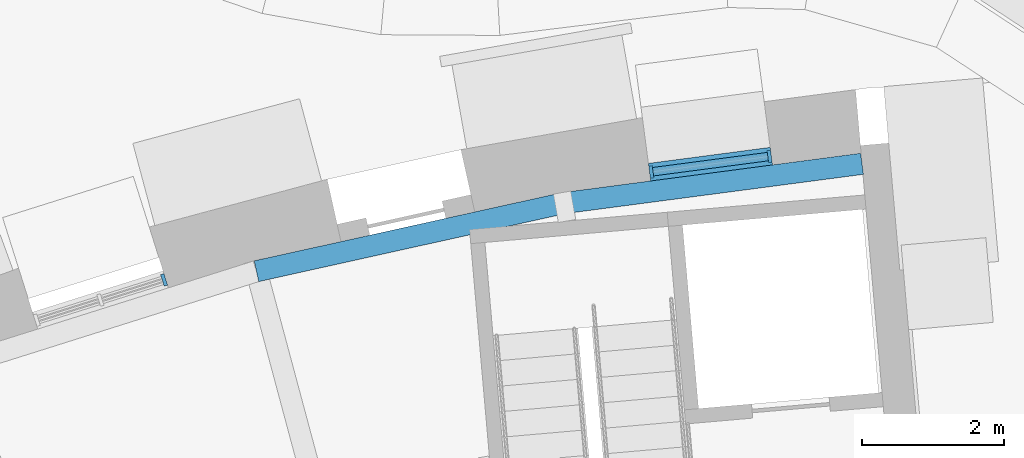
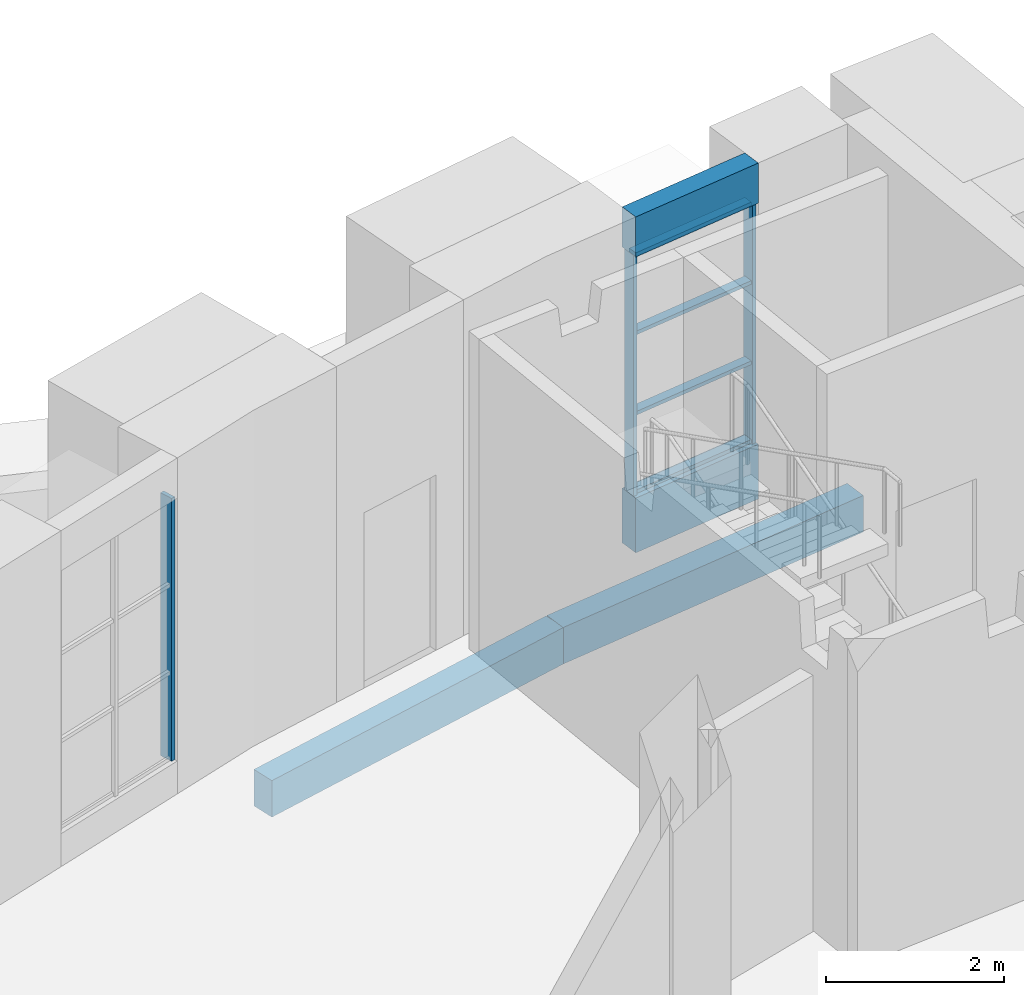
# One storey, part 28 of 85: 7 members, 4 beams, 2 elements without a shape of their own.
"""IFC4 building model written with IfcOpenShell, lengths in metres."""

from ifc_helpers import new_model, si_unit, direction, frame, origin, origin_2d, place, context, subcontext, project, spatial, rectangle, extrude, material, layer, layer_set, material_profile, profile_set, type_object, element, aggregate, save


model = new_model("IFC4")

# Units and contexts
model_context = context("Model", 3, precision=1e-05, world=origin(), true_north=direction((0.0, 1.0)))
body_context = subcontext(model_context, "Body", "Model", "MODEL_VIEW")
ifc_project = project(units=[si_unit("LENGTHUNIT", "METRE"), si_unit("AREAUNIT", "SQUARE_METRE"), si_unit("VOLUMEUNIT", "CUBIC_METRE"), si_unit("PLANEANGLEUNIT", "RADIAN"), si_unit("MASSUNIT", "GRAM", prefix="KILO")], contexts=[model_context])

# Site, building, storey
site_placement = place(None, origin())
site = spatial("IfcSite", under=ifc_project, at=site_placement, CompositionType="ELEMENT")
building_placement = place(site_placement, origin())
building = spatial("IfcBuilding", under=site, at=building_placement, Name="Volute Hill Aquarium", CompositionType="ELEMENT")
storey_placement = place(building_placement, origin())
storey = spatial("IfcBuildingStorey", under=building, at=storey_placement, Name="L01", CompositionType="ELEMENT", Elevation=0.0)

# Curtain wall, members
ifc_material_1 = material(Name="Aluminium", Category="aluminium")
ifc_layer_1 = layer(ifc_material_1, 0.25)
ifc_layer_set_1 = layer_set([ifc_layer_1], Name="Curtain wall niche S6 module 1734")
curtain_wall_type_1 = type_object("IfcCurtainWallType", Name="Curtain wall niche S6 module 1734", PredefinedType="NOTDEFINED", material=ifc_layer_set_1)
curtain_wall_1_placement = place(storey_placement, origin())
curtain_wall_1 = element("IfcCurtainWall", 1, at=curtain_wall_1_placement, inside=storey, type_object=curtain_wall_type_1, Name="Curtain wall CW S6 L01 1", PredefinedType="NOTDEFINED")
ifc_material_2 = material(Name="Aluminium", Category="aluminium")
ifc_material_profile_1 = material_profile(ifc_material_2, rectangle(XDim=0.169921875, YDim=0.050048828125, at=origin_2d()), Name="Curtain wall mullion S6 50x170")
ifc_profile_set_1 = profile_set([ifc_material_profile_1], Name="Aluminium")
member_type_1 = type_object("IfcMemberType", Name="Curtain wall mullion S6 50x170", PredefinedType="MULLION", material=ifc_profile_set_1)
member_1_placement = place(storey_placement, frame((-5.9443359375, 50.8349609375, 0.75), z_axis=(0.0, 0.0, 1.0), x_axis=(0.130524493298, -0.99144508504, 0.0)))
member_1 = element("IfcMember", 2, at=member_1_placement, type_object=member_type_1, Name="CW mullion 1", PredefinedType="MULLION", context=body_context, shape_type="SweptSolid", body=[
    extrude(rectangle(XDim=0.169921875, YDim=0.050048828125, at=origin_2d()), origin(), (0.0, 0.0, 1.0), 3.300048828125),
])
member_2_placement = place(storey_placement, frame((-7.61376953125, 50.615234375, 0.75), z_axis=(0.0, 0.0, 1.0), x_axis=(0.130524493298, -0.99144508504, 0.0)))
member_2 = element("IfcMember", 3, at=member_2_placement, type_object=member_type_1, Name="CW mullion 2", PredefinedType="MULLION", context=body_context, shape_type="SweptSolid", body=[
    extrude(rectangle(XDim=0.169921875, YDim=0.050048828125, at=origin_2d()), origin(), (0.0, 0.0, 1.0), 3.300048828125),
])

# Curtain wall, member
ifc_material_3 = material(Name="Aluminium", Category="aluminium")
ifc_layer_2 = layer(ifc_material_3, 0.25)
ifc_layer_set_2 = layer_set([ifc_layer_2], Name="Curtain wall niche S6 module 967")
curtain_wall_type_2 = type_object("IfcCurtainWallType", Name="Curtain wall niche S6 module 967", PredefinedType="NOTDEFINED", material=ifc_layer_set_2)
curtain_wall_2_placement = place(storey_placement, origin())
curtain_wall_2 = element("IfcCurtainWall", 4, at=curtain_wall_2_placement, inside=storey, type_object=curtain_wall_type_2, Name="Curtain wall CW S6 L01 3", PredefinedType="NOTDEFINED")
member_3_placement = place(storey_placement, frame((-14.49072265625, 49.090576171875, 0.449951171875), z_axis=(0.0, 0.0, 1.0), x_axis=(0.300706406582, -0.953716759337, 0.0)))
member_3 = element("IfcMember", 5, at=member_3_placement, type_object=member_type_1, Name="CW mullion 1", PredefinedType="MULLION", context=body_context, shape_type="SweptSolid", body=[
    extrude(rectangle(XDim=0.169921875, YDim=0.050048828125, at=origin_2d()), origin(), (0.0, 0.0, 1.0), 3.60009765625),
])
aggregate(curtain_wall_2, [member_3])

# Member
ifc_material_4 = material(Name="Aluminium", Category="aluminium")
ifc_material_profile_2 = material_profile(ifc_material_4, rectangle(XDim=0.1201171875, YDim=0.050048828125, at=origin_2d()), Name="Curtain wall transom S6 50x120")
ifc_profile_set_2 = profile_set([ifc_material_profile_2], Name="Aluminium")
member_type_2 = type_object("IfcMemberType", Name="Curtain wall transom S6 50x120", PredefinedType="USERDEFINED", material=ifc_profile_set_2)
member_4_placement = place(storey_placement, frame((-5.96923828125, 50.83154296875, 0.77490234375), z_axis=(-0.991452260702, -0.130469976423, 0.0), x_axis=(0.130469976423, -0.991452260702, 0.0)))
member_4 = element("IfcMember", 6, at=member_4_placement, type_object=member_type_2, Name="CW transom 1.1", ObjectType="TRANSOM", PredefinedType="USERDEFINED", context=body_context, shape_type="SweptSolid", body=[
    extrude(rectangle(XDim=0.1201171875, YDim=0.050048828125, at=origin_2d()), origin(), (0.0, 0.0, 1.0), 1.633544921875),
])

member_5_placement = place(storey_placement, frame((-5.96923828125, 50.83154296875, 1.85009765625), z_axis=(-0.991452260702, -0.130469976423, 0.0), x_axis=(0.130469976423, -0.991452260702, 0.0)))
member_5 = element("IfcMember", 7, at=member_5_placement, type_object=member_type_2, Name="CW transom 1.2", ObjectType="TRANSOM", PredefinedType="USERDEFINED", context=body_context, shape_type="SweptSolid", body=[
    extrude(rectangle(XDim=0.1201171875, YDim=0.050048828125, at=origin_2d()), origin(), (0.0, 0.0, 1.0), 1.633544921875),
])

member_6_placement = place(storey_placement, frame((-5.96923828125, 50.83154296875, 2.949951171875), z_axis=(-0.991452260702, -0.130469976423, 0.0), x_axis=(0.130469976423, -0.991452260702, 0.0)))
member_6 = element("IfcMember", 8, at=member_6_placement, type_object=member_type_2, Name="CW transom 1.3", ObjectType="TRANSOM", PredefinedType="USERDEFINED", context=body_context, shape_type="SweptSolid", body=[
    extrude(rectangle(XDim=0.1201171875, YDim=0.050048828125, at=origin_2d()), origin(), (0.0, 0.0, 1.0), 1.633544921875),
])

member_7_placement = place(storey_placement, frame((-5.96923828125, 50.83154296875, 4.02490234375), z_axis=(-0.991452260702, -0.130469976423, 0.0), x_axis=(0.130469976423, -0.991452260702, 0.0)))
member_7 = element("IfcMember", 9, at=member_7_placement, type_object=member_type_2, Name="CW transom 1.4", ObjectType="TRANSOM", PredefinedType="USERDEFINED", context=body_context, shape_type="SweptSolid", body=[
    extrude(rectangle(XDim=0.1201171875, YDim=0.050048828125, at=origin_2d()), origin(), (0.0, 0.0, 1.0), 1.633544921875),
])

aggregate(curtain_wall_1, [member_1, member_2, member_4, member_5, member_6, member_7])

# Beams
ifc_material_5 = material(Name="Concrete C35/45", Category="concrete")
ifc_material_profile_3 = material_profile(ifc_material_5, rectangle(XDim=0.300048828125, YDim=0.5, at=origin_2d()), Name="RC edge beam 300x500")
ifc_profile_set_3 = profile_set([ifc_material_profile_3], Name="Concrete C35/45")
beam_type_1 = type_object("IfcBeamType", Name="Edge beam 300x500 C35/45", PredefinedType="BEAM", material=ifc_profile_set_3)
beam_1_placement = place(storey_placement, frame((-4.63916015625, 50.72998046875, -0.570068359375), z_axis=(-0.991439606288, -0.130566102354, 0.0), x_axis=(0.130566102354, -0.991439606288, 0.0)))
element("IfcBeam", 10, at=beam_1_placement, inside=storey, type_object=beam_type_1, Name="bm/S6/L01/edgeO.42", PredefinedType="BEAM", context=body_context, shape_type="SweptSolid", body=[
    extrude(rectangle(XDim=0.300048828125, YDim=0.5, at=origin_2d()), origin(), (0.0, 0.0, 1.0), 4.24462890625),
])
beam_2_placement = place(storey_placement, frame((-8.847412109375, 50.17578125, -0.570068359375), z_axis=(-0.976300660498, -0.21641862284, 0.0), x_axis=(0.21641862284, -0.976300660498, 0.0)))
element("IfcBeam", 11, at=beam_2_placement, inside=storey, type_object=beam_type_1, Name="bm/S6/L01/edgeO.43", PredefinedType="BEAM", context=body_context, shape_type="SweptSolid", body=[
    extrude(rectangle(XDim=0.300048828125, YDim=0.5, at=origin_2d()), origin(), (0.0, 0.0, 1.0), 4.444580078125),
])
ifc_material_6 = material(Name="Concrete C35/45", Category="concrete")
ifc_material_profile_4 = material_profile(ifc_material_6, rectangle(XDim=0.25, YDim=0.550048828125, at=origin_2d()), Name="RC beam 250x550")
ifc_profile_set_4 = profile_set([ifc_material_profile_4], Name="Concrete C35/45")
beam_type_2 = type_object("IfcBeamType", Name="Niche head beam RC 250x550 C35/45", PredefinedType="BEAM", material=ifc_profile_set_4)
beam_3_placement = place(storey_placement, frame((-5.919677734375, 50.838134765625, 4.324951171875), z_axis=(-0.991441828204, -0.130549229367, 0.0), x_axis=(0.130549229367, -0.991441828204, 0.0)))
element("IfcBeam", 12, at=beam_3_placement, inside=storey, type_object=beam_type_2, Name="Niche head beam OWB S6 L01 1", PredefinedType="BEAM", context=body_context, shape_type="SweptSolid", body=[
    extrude(rectangle(XDim=0.25, YDim=0.550048828125, at=origin_2d()), origin(), (0.0, 0.0, 1.0), 1.733642578125),
])
ifc_material_7 = material(Name="Concrete C35/45", Category="concrete")
ifc_material_profile_5 = material_profile(ifc_material_7, rectangle(XDim=0.25, YDim=0.75, at=origin_2d()), Name="RC beam 250x750")
ifc_profile_set_5 = profile_set([ifc_material_profile_5], Name="Concrete C35/45")
beam_type_3 = type_object("IfcBeamType", Name="Niche sill beam RC 250x750 C35/45", PredefinedType="BEAM", material=ifc_profile_set_5)
beam_4_placement = place(storey_placement, frame((-5.919677734375, 50.838134765625, 0.375), z_axis=(-0.991441828204, -0.130549229367, 0.0), x_axis=(0.130549229367, -0.991441828204, 0.0)))
element("IfcBeam", 13, at=beam_4_placement, inside=storey, type_object=beam_type_3, Name="Niche sill beam OWB S6 L01 1", PredefinedType="BEAM", context=body_context, shape_type="SweptSolid", body=[
    extrude(rectangle(XDim=0.25, YDim=0.75, at=origin_2d()), origin(), (0.0, 0.0, 1.0), 1.733642578125),
])

save(model, "model.ifc")
